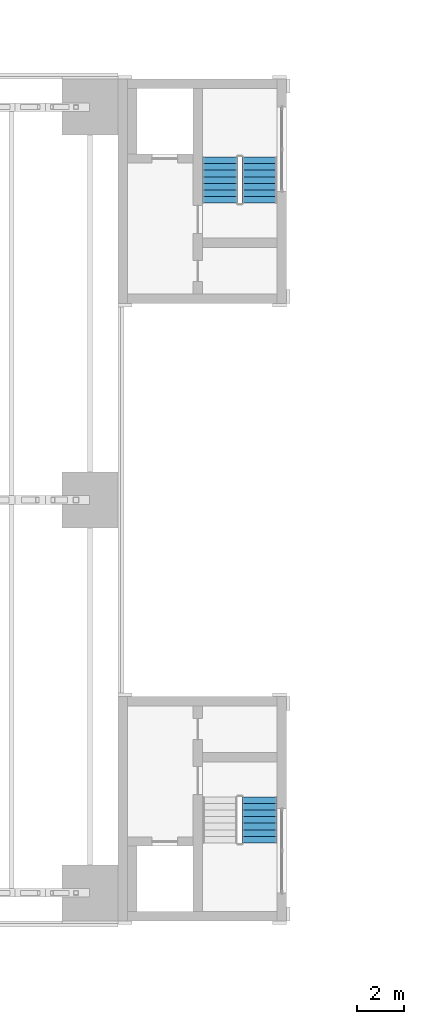
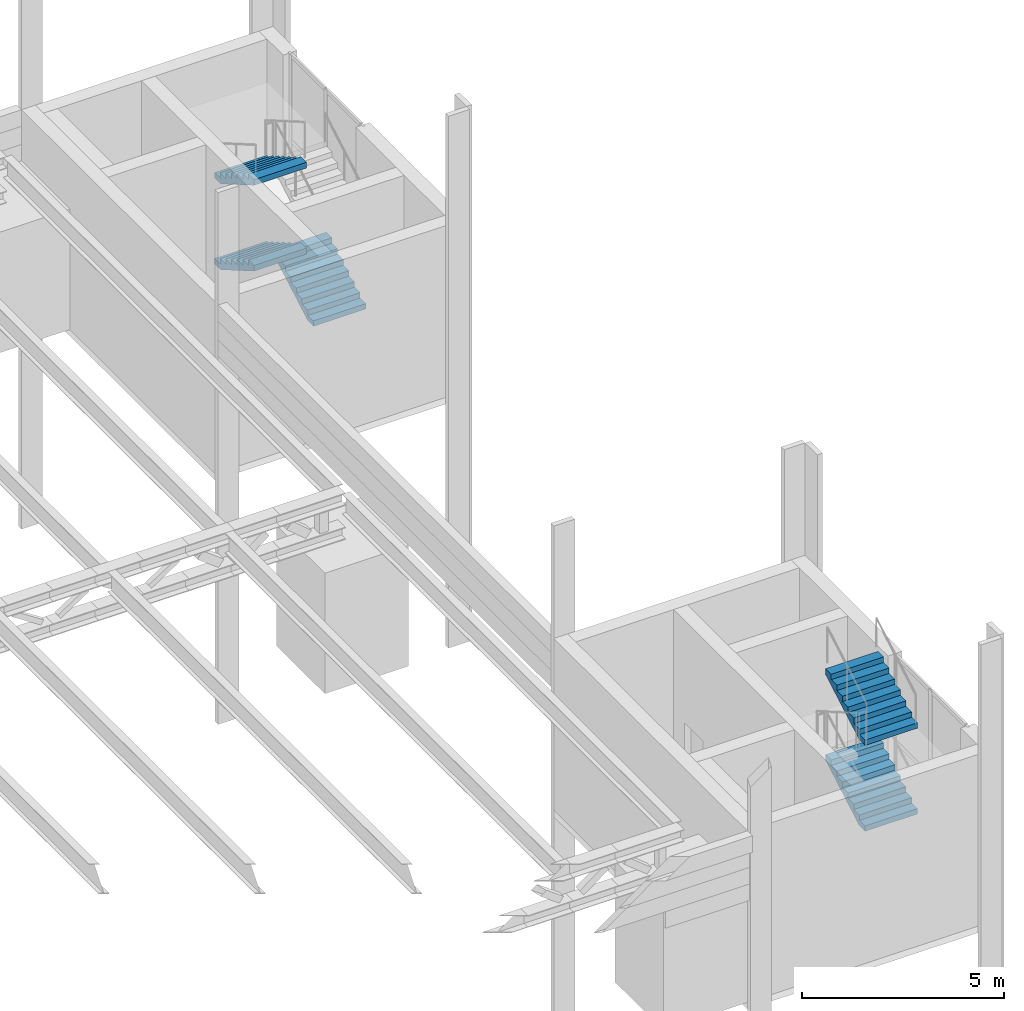
# One storey, part 77 of 93: 5 stair flights, 2 elements without a shape of their own.
"""IFC4 building model written with IfcOpenShell, lengths in metres."""

from ifc_helpers import new_model, si_unit, direction, frame, origin, place, context, subcontext, project, spatial, polygons, material, type_object, element, aggregate, save


model = new_model("IFC4")

# Units and contexts
model_context = context("Model", 3, precision=1e-05, world=origin(), true_north=direction((0.0, 1.0)))
body_context = subcontext(model_context, "Body", "Model", "MODEL_VIEW")
ifc_project = project(units=[si_unit("LENGTHUNIT", "METRE"), si_unit("AREAUNIT", "SQUARE_METRE"), si_unit("VOLUMEUNIT", "CUBIC_METRE"), si_unit("PLANEANGLEUNIT", "RADIAN"), si_unit("MASSUNIT", "GRAM", prefix="KILO")], contexts=[model_context])

# Site, building, storey
site_placement = place(None, origin())
site = spatial("IfcSite", under=ifc_project, at=site_placement, CompositionType="ELEMENT")
building_placement = place(site_placement, origin())
building = spatial("IfcBuilding", under=site, at=building_placement, Name="Verrick Yard Athletic Hall", CompositionType="ELEMENT")
storey_placement = place(building_placement, frame((0.0, 0.0, 8.800048828125)))
storey = spatial("IfcBuildingStorey", under=building, at=storey_placement, Name="L02", CompositionType="ELEMENT", Elevation=8.800048828125)

# Stair, stair flights
ifc_material = material(Name="Concrete 35 MPa", Category="concrete")
stair_type = type_object("IfcStairType", Name="Stair ST2 1500 wide 32 risers", PredefinedType="HALF_TURN_STAIR", material=ifc_material)
stair_1_placement = place(storey_placement, origin())
stair_1 = element("IfcStair", 1, at=stair_1_placement, inside=storey, type_object=stair_type, Name="Plinth south-east stair L02", PredefinedType="HALF_TURN_STAIR")
stair_flight_type = type_object("IfcStairFlightType", Name="Stair flight SF2 1500 wide 8 risers", PredefinedType="STRAIGHT", material=ifc_material)
stair_flight_1_placement = place(storey_placement, frame((164.85009765625, 21.340087890625, 1.300048828125), z_axis=(0.0, 0.0, 1.0), x_axis=(0.0, 1.0, 0.0)))
stair_flight_1 = element("IfcStairFlight", 2, at=stair_flight_1_placement, type_object=stair_flight_type, Name="ST2 flight 2", NumberOfRisers=8, NumberOfTreads=7, PredefinedType="STRAIGHT", RiserHeight=0.1625, TreadLength=0.28, context=body_context, shape_type="Tessellation", body=[
    polygons([(0.2986404620805121, -0.75, 0.0), (1.9600000000000002, -0.75, 0.9641818746854172), (1.9600000000000002, -0.75, 1.1375), (1.6800000000000002, -0.75, 1.1375), (1.6800000000000002, -0.75, 0.9750000000000001), (1.4000000000000001, -0.75, 0.9750000000000001), (1.4000000000000001, -0.75, 0.8125), (1.12, -0.75, 0.8125), (1.12, -0.75, 0.65), (0.8400000000000001, -0.75, 0.65), (0.8400000000000001, -0.75, 0.48750000000000004), (0.56, -0.75, 0.48750000000000004), (0.56, -0.75, 0.325), (0.28, -0.75, 0.325), (0.28, -0.75, 0.1625), (0.0, -0.75, 0.1625), (0.0, -0.75, 0.0), (0.2986404620805121, -0.14990234375, 0.0), (1.9600000000000002, -0.14990234375, 0.9641818746854172), (1.9600000000000002, -0.14990234375, 1.1375), (1.6800000000000002, -0.14990234375, 1.1375), (1.6800000000000002, -0.14990234375, 0.9750000000000001), (1.4000000000000001, -0.14990234375, 0.9750000000000001), (1.4000000000000001, -0.14990234375, 0.8125), (1.12, -0.14990234375, 0.8125), (1.12, -0.14990234375, 0.65), (0.8400000000000001, -0.14990234375, 0.65), (0.8400000000000001, -0.14990234375, 0.48750000000000004), (0.56, -0.14990234375, 0.48750000000000004), (0.56, -0.14990234375, 0.325), (0.28, -0.14990234375, 0.325), (0.28, -0.14990234375, 0.1625), (0.0, -0.14990234375, 0.1625), (0.0, -0.14990234375, 0.0), (0.2986404620805121, -0.050048828125, 0.0), (1.9600000000000002, -0.050048828125, 0.9641818746854172), (1.9600000000000002, -0.050048828125, 1.1375), (1.6800000000000002, -0.050048828125, 1.1375), (1.6800000000000002, -0.050048828125, 0.9750000000000001), (1.4000000000000001, -0.050048828125, 0.9750000000000001), (1.4000000000000001, -0.050048828125, 0.8125), (1.12, -0.050048828125, 0.8125), (1.12, -0.050048828125, 0.65), (0.8400000000000001, -0.050048828125, 0.65), (0.8400000000000001, -0.050048828125, 0.48750000000000004), (0.56, -0.050048828125, 0.48750000000000004), (0.56, -0.050048828125, 0.325), (0.28, -0.050048828125, 0.325), (0.28, -0.050048828125, 0.1625), (0.0, -0.050048828125, 0.1625), (0.0, -0.050048828125, 0.0), (0.2986404620805121, 0.050048828125, 0.0), (1.9600000000000002, 0.050048828125, 0.9641818746854172), (1.9600000000000002, 0.050048828125, 1.1375), (1.6800000000000002, 0.050048828125, 1.1375), (1.6800000000000002, 0.050048828125, 0.9750000000000001), (1.4000000000000001, 0.050048828125, 0.9750000000000001), (1.4000000000000001, 0.050048828125, 0.8125), (1.12, 0.050048828125, 0.8125), (1.12, 0.050048828125, 0.65), (0.8400000000000001, 0.050048828125, 0.65), (0.8400000000000001, 0.050048828125, 0.48750000000000004), (0.56, 0.050048828125, 0.48750000000000004), (0.56, 0.050048828125, 0.325), (0.28, 0.050048828125, 0.325), (0.28, 0.050048828125, 0.1625), (0.0, 0.050048828125, 0.1625), (0.0, 0.050048828125, 0.0), (0.2986404620805121, 0.14990234375, 0.0), (1.9600000000000002, 0.14990234375, 0.9641818746854172), (1.9600000000000002, 0.14990234375, 1.1375), (1.6800000000000002, 0.14990234375, 1.1375), (1.6800000000000002, 0.14990234375, 0.9750000000000001), (1.4000000000000001, 0.14990234375, 0.9750000000000001), (1.4000000000000001, 0.14990234375, 0.8125), (1.12, 0.14990234375, 0.8125), (1.12, 0.14990234375, 0.65), (0.8400000000000001, 0.14990234375, 0.65), (0.8400000000000001, 0.14990234375, 0.48750000000000004), (0.56, 0.14990234375, 0.48750000000000004), (0.56, 0.14990234375, 0.325), (0.28, 0.14990234375, 0.325), (0.28, 0.14990234375, 0.1625), (0.0, 0.14990234375, 0.1625), (0.0, 0.14990234375, 0.0), (0.2986404620805121, 0.75, 0.0), (1.9600000000000002, 0.75, 0.9641818746854172), (1.9600000000000002, 0.75, 1.1375), (1.6800000000000002, 0.75, 1.1375), (1.6800000000000002, 0.75, 0.9750000000000001), (1.4000000000000001, 0.75, 0.9750000000000001), (1.4000000000000001, 0.75, 0.8125), (1.12, 0.75, 0.8125), (1.12, 0.75, 0.65), (0.8400000000000001, 0.75, 0.65), (0.8400000000000001, 0.75, 0.48750000000000004), (0.56, 0.75, 0.48750000000000004), (0.56, 0.75, 0.325), (0.28, 0.75, 0.325), (0.28, 0.75, 0.1625), (0.0, 0.75, 0.1625), (0.0, 0.75, 0.0)], [[[1, 2, 3, 4, 5, 6, 7, 8, 9, 10, 11, 12, 13, 14, 15, 16, 17]], [[102, 101, 100, 99, 98, 97, 96, 95, 94, 93, 92, 91, 90, 89, 88, 87, 86]], [[1, 18, 19, 2]], [[2, 19, 20, 3]], [[3, 20, 21, 4]], [[4, 21, 22, 5]], [[5, 22, 23, 6]], [[6, 23, 24, 7]], [[7, 24, 25, 8]], [[8, 25, 26, 9]], [[9, 26, 27, 10]], [[10, 27, 28, 11]], [[11, 28, 29, 12]], [[12, 29, 30, 13]], [[13, 30, 31, 14]], [[14, 31, 32, 15]], [[15, 32, 33, 16]], [[16, 33, 34, 17]], [[17, 34, 18, 1]], [[18, 35, 36, 19]], [[19, 36, 37, 20]], [[20, 37, 38, 21]], [[21, 38, 39, 22]], [[22, 39, 40, 23]], [[23, 40, 41, 24]], [[24, 41, 42, 25]], [[25, 42, 43, 26]], [[26, 43, 44, 27]], [[27, 44, 45, 28]], [[28, 45, 46, 29]], [[29, 46, 47, 30]], [[30, 47, 48, 31]], [[31, 48, 49, 32]], [[32, 49, 50, 33]], [[33, 50, 51, 34]], [[34, 51, 35, 18]], [[35, 52, 53, 36]], [[36, 53, 54, 37]], [[37, 54, 55, 38]], [[38, 55, 56, 39]], [[39, 56, 57, 40]], [[40, 57, 58, 41]], [[41, 58, 59, 42]], [[42, 59, 60, 43]], [[43, 60, 61, 44]], [[44, 61, 62, 45]], [[45, 62, 63, 46]], [[46, 63, 64, 47]], [[47, 64, 65, 48]], [[48, 65, 66, 49]], [[49, 66, 67, 50]], [[50, 67, 68, 51]], [[51, 68, 52, 35]], [[52, 69, 70, 53]], [[53, 70, 71, 54]], [[54, 71, 72, 55]], [[55, 72, 73, 56]], [[56, 73, 74, 57]], [[57, 74, 75, 58]], [[58, 75, 76, 59]], [[59, 76, 77, 60]], [[60, 77, 78, 61]], [[61, 78, 79, 62]], [[62, 79, 80, 63]], [[63, 80, 81, 64]], [[64, 81, 82, 65]], [[65, 82, 83, 66]], [[66, 83, 84, 67]], [[67, 84, 85, 68]], [[68, 85, 69, 52]], [[69, 86, 87, 70]], [[70, 87, 88, 71]], [[71, 88, 89, 72]], [[72, 89, 90, 73]], [[73, 90, 91, 74]], [[74, 91, 92, 75]], [[75, 92, 93, 76]], [[76, 93, 94, 77]], [[77, 94, 95, 78]], [[78, 95, 96, 79]], [[79, 96, 97, 80]], [[80, 97, 98, 81]], [[81, 98, 99, 82]], [[82, 99, 100, 83]], [[83, 100, 101, 84]], [[84, 101, 102, 85]], [[85, 102, 86, 69]]], closed=True),
])
stair_flight_2_placement = place(storey_placement, frame((164.85009765625, 21.340087890625, 3.89990234375), z_axis=(0.0, 0.0, 1.0), x_axis=(0.0, 1.0, 0.0)))
stair_flight_2 = element("IfcStairFlight", 3, at=stair_flight_2_placement, type_object=stair_flight_type, Name="ST2 flight 4", NumberOfRisers=8, NumberOfTreads=7, PredefinedType="STRAIGHT", RiserHeight=0.1625, TreadLength=0.28, context=body_context, shape_type="Tessellation", body=[
    polygons([(0.2986404620805121, -0.75, 0.0), (1.9600000000000002, -0.75, 0.9641818746854172), (1.9600000000000002, -0.75, 1.1375), (1.6800000000000002, -0.75, 1.1375), (1.6800000000000002, -0.75, 0.9750000000000001), (1.4000000000000001, -0.75, 0.9750000000000001), (1.4000000000000001, -0.75, 0.8125), (1.12, -0.75, 0.8125), (1.12, -0.75, 0.65), (0.8400000000000001, -0.75, 0.65), (0.8400000000000001, -0.75, 0.48750000000000004), (0.56, -0.75, 0.48750000000000004), (0.56, -0.75, 0.325), (0.28, -0.75, 0.325), (0.28, -0.75, 0.1625), (0.0, -0.75, 0.1625), (0.0, -0.75, 0.0), (0.2986404620805121, -0.14990234375, 0.0), (1.9600000000000002, -0.14990234375, 0.9641818746854172), (1.9600000000000002, -0.14990234375, 1.1375), (1.6800000000000002, -0.14990234375, 1.1375), (1.6800000000000002, -0.14990234375, 0.9750000000000001), (1.4000000000000001, -0.14990234375, 0.9750000000000001), (1.4000000000000001, -0.14990234375, 0.8125), (1.12, -0.14990234375, 0.8125), (1.12, -0.14990234375, 0.65), (0.8400000000000001, -0.14990234375, 0.65), (0.8400000000000001, -0.14990234375, 0.48750000000000004), (0.56, -0.14990234375, 0.48750000000000004), (0.56, -0.14990234375, 0.325), (0.28, -0.14990234375, 0.325), (0.28, -0.14990234375, 0.1625), (0.0, -0.14990234375, 0.1625), (0.0, -0.14990234375, 0.0), (0.2986404620805121, -0.050048828125, 0.0), (1.9600000000000002, -0.050048828125, 0.9641818746854172), (1.9600000000000002, -0.050048828125, 1.1375), (1.6800000000000002, -0.050048828125, 1.1375), (1.6800000000000002, -0.050048828125, 0.9750000000000001), (1.4000000000000001, -0.050048828125, 0.9750000000000001), (1.4000000000000001, -0.050048828125, 0.8125), (1.12, -0.050048828125, 0.8125), (1.12, -0.050048828125, 0.65), (0.8400000000000001, -0.050048828125, 0.65), (0.8400000000000001, -0.050048828125, 0.48750000000000004), (0.56, -0.050048828125, 0.48750000000000004), (0.56, -0.050048828125, 0.325), (0.28, -0.050048828125, 0.325), (0.28, -0.050048828125, 0.1625), (0.0, -0.050048828125, 0.1625), (0.0, -0.050048828125, 0.0), (0.2986404620805121, 0.050048828125, 0.0), (1.9600000000000002, 0.050048828125, 0.9641818746854172), (1.9600000000000002, 0.050048828125, 1.1375), (1.6800000000000002, 0.050048828125, 1.1375), (1.6800000000000002, 0.050048828125, 0.9750000000000001), (1.4000000000000001, 0.050048828125, 0.9750000000000001), (1.4000000000000001, 0.050048828125, 0.8125), (1.12, 0.050048828125, 0.8125), (1.12, 0.050048828125, 0.65), (0.8400000000000001, 0.050048828125, 0.65), (0.8400000000000001, 0.050048828125, 0.48750000000000004), (0.56, 0.050048828125, 0.48750000000000004), (0.56, 0.050048828125, 0.325), (0.28, 0.050048828125, 0.325), (0.28, 0.050048828125, 0.1625), (0.0, 0.050048828125, 0.1625), (0.0, 0.050048828125, 0.0), (0.2986404620805121, 0.14990234375, 0.0), (1.9600000000000002, 0.14990234375, 0.9641818746854172), (1.9600000000000002, 0.14990234375, 1.1375), (1.6800000000000002, 0.14990234375, 1.1375), (1.6800000000000002, 0.14990234375, 0.9750000000000001), (1.4000000000000001, 0.14990234375, 0.9750000000000001), (1.4000000000000001, 0.14990234375, 0.8125), (1.12, 0.14990234375, 0.8125), (1.12, 0.14990234375, 0.65), (0.8400000000000001, 0.14990234375, 0.65), (0.8400000000000001, 0.14990234375, 0.48750000000000004), (0.56, 0.14990234375, 0.48750000000000004), (0.56, 0.14990234375, 0.325), (0.28, 0.14990234375, 0.325), (0.28, 0.14990234375, 0.1625), (0.0, 0.14990234375, 0.1625), (0.0, 0.14990234375, 0.0), (0.2986404620805121, 0.75, 0.0), (1.9600000000000002, 0.75, 0.9641818746854172), (1.9600000000000002, 0.75, 1.1375), (1.6800000000000002, 0.75, 1.1375), (1.6800000000000002, 0.75, 0.9750000000000001), (1.4000000000000001, 0.75, 0.9750000000000001), (1.4000000000000001, 0.75, 0.8125), (1.12, 0.75, 0.8125), (1.12, 0.75, 0.65), (0.8400000000000001, 0.75, 0.65), (0.8400000000000001, 0.75, 0.48750000000000004), (0.56, 0.75, 0.48750000000000004), (0.56, 0.75, 0.325), (0.28, 0.75, 0.325), (0.28, 0.75, 0.1625), (0.0, 0.75, 0.1625), (0.0, 0.75, 0.0)], [[[1, 2, 3, 4, 5, 6, 7, 8, 9, 10, 11, 12, 13, 14, 15, 16, 17]], [[102, 101, 100, 99, 98, 97, 96, 95, 94, 93, 92, 91, 90, 89, 88, 87, 86]], [[1, 18, 19, 2]], [[2, 19, 20, 3]], [[3, 20, 21, 4]], [[4, 21, 22, 5]], [[5, 22, 23, 6]], [[6, 23, 24, 7]], [[7, 24, 25, 8]], [[8, 25, 26, 9]], [[9, 26, 27, 10]], [[10, 27, 28, 11]], [[11, 28, 29, 12]], [[12, 29, 30, 13]], [[13, 30, 31, 14]], [[14, 31, 32, 15]], [[15, 32, 33, 16]], [[16, 33, 34, 17]], [[17, 34, 18, 1]], [[18, 35, 36, 19]], [[19, 36, 37, 20]], [[20, 37, 38, 21]], [[21, 38, 39, 22]], [[22, 39, 40, 23]], [[23, 40, 41, 24]], [[24, 41, 42, 25]], [[25, 42, 43, 26]], [[26, 43, 44, 27]], [[27, 44, 45, 28]], [[28, 45, 46, 29]], [[29, 46, 47, 30]], [[30, 47, 48, 31]], [[31, 48, 49, 32]], [[32, 49, 50, 33]], [[33, 50, 51, 34]], [[34, 51, 35, 18]], [[35, 52, 53, 36]], [[36, 53, 54, 37]], [[37, 54, 55, 38]], [[38, 55, 56, 39]], [[39, 56, 57, 40]], [[40, 57, 58, 41]], [[41, 58, 59, 42]], [[42, 59, 60, 43]], [[43, 60, 61, 44]], [[44, 61, 62, 45]], [[45, 62, 63, 46]], [[46, 63, 64, 47]], [[47, 64, 65, 48]], [[48, 65, 66, 49]], [[49, 66, 67, 50]], [[50, 67, 68, 51]], [[51, 68, 52, 35]], [[52, 69, 70, 53]], [[53, 70, 71, 54]], [[54, 71, 72, 55]], [[55, 72, 73, 56]], [[56, 73, 74, 57]], [[57, 74, 75, 58]], [[58, 75, 76, 59]], [[59, 76, 77, 60]], [[60, 77, 78, 61]], [[61, 78, 79, 62]], [[62, 79, 80, 63]], [[63, 80, 81, 64]], [[64, 81, 82, 65]], [[65, 82, 83, 66]], [[66, 83, 84, 67]], [[67, 84, 85, 68]], [[68, 85, 69, 52]], [[69, 86, 87, 70]], [[70, 87, 88, 71]], [[71, 88, 89, 72]], [[72, 89, 90, 73]], [[73, 90, 91, 74]], [[74, 91, 92, 75]], [[75, 92, 93, 76]], [[76, 93, 94, 77]], [[77, 94, 95, 78]], [[78, 95, 96, 79]], [[79, 96, 97, 80]], [[80, 97, 98, 81]], [[81, 98, 99, 82]], [[82, 99, 100, 83]], [[83, 100, 101, 84]], [[84, 101, 102, 85]], [[85, 102, 86, 69]]], closed=True),
])
aggregate(stair_1, [stair_flight_1, stair_flight_2])

stair_2_placement = place(storey_placement, origin())
stair_2 = element("IfcStair", 4, at=stair_2_placement, inside=storey, type_object=stair_type, Name="Plinth north-east stair L02", PredefinedType="HALF_TURN_STAIR")
stair_flight_3_placement = place(storey_placement, frame((164.85009765625, 48.699951171875, 0.0), z_axis=(0.0, 0.0, 1.0), x_axis=(0.0, 1.0, 0.0)))
stair_flight_3 = element("IfcStairFlight", 5, at=stair_flight_3_placement, type_object=stair_flight_type, Name="ST2 flight 1", NumberOfRisers=8, NumberOfTreads=7, PredefinedType="STRAIGHT", RiserHeight=0.1625, TreadLength=0.28, context=body_context, shape_type="Tessellation", body=[
    polygons([(0.2986404620805121, -0.75, 0.0), (1.9600000000000002, -0.75, 0.9641818746854172), (1.9600000000000002, -0.75, 1.1375), (1.6800000000000002, -0.75, 1.1375), (1.6800000000000002, -0.75, 0.9750000000000001), (1.4000000000000001, -0.75, 0.9750000000000001), (1.4000000000000001, -0.75, 0.8125), (1.12, -0.75, 0.8125), (1.12, -0.75, 0.65), (0.8400000000000001, -0.75, 0.65), (0.8400000000000001, -0.75, 0.48750000000000004), (0.56, -0.75, 0.48750000000000004), (0.56, -0.75, 0.325), (0.28, -0.75, 0.325), (0.28, -0.75, 0.1625), (0.0, -0.75, 0.1625), (0.0, -0.75, 0.0), (0.2986404620805121, -0.14990234375, 0.0), (1.9600000000000002, -0.14990234375, 0.9641818746854172), (1.9600000000000002, -0.14990234375, 1.1375), (1.6800000000000002, -0.14990234375, 1.1375), (1.6800000000000002, -0.14990234375, 0.9750000000000001), (1.4000000000000001, -0.14990234375, 0.9750000000000001), (1.4000000000000001, -0.14990234375, 0.8125), (1.12, -0.14990234375, 0.8125), (1.12, -0.14990234375, 0.65), (0.8400000000000001, -0.14990234375, 0.65), (0.8400000000000001, -0.14990234375, 0.48750000000000004), (0.56, -0.14990234375, 0.48750000000000004), (0.56, -0.14990234375, 0.325), (0.28, -0.14990234375, 0.325), (0.28, -0.14990234375, 0.1625), (0.0, -0.14990234375, 0.1625), (0.0, -0.14990234375, 0.0), (0.2986404620805121, -0.050048828125, 0.0), (1.9600000000000002, -0.050048828125, 0.9641818746854172), (1.9600000000000002, -0.050048828125, 1.1375), (1.6800000000000002, -0.050048828125, 1.1375), (1.6800000000000002, -0.050048828125, 0.9750000000000001), (1.4000000000000001, -0.050048828125, 0.9750000000000001), (1.4000000000000001, -0.050048828125, 0.8125), (1.12, -0.050048828125, 0.8125), (1.12, -0.050048828125, 0.65), (0.8400000000000001, -0.050048828125, 0.65), (0.8400000000000001, -0.050048828125, 0.48750000000000004), (0.56, -0.050048828125, 0.48750000000000004), (0.56, -0.050048828125, 0.325), (0.28, -0.050048828125, 0.325), (0.28, -0.050048828125, 0.1625), (0.0, -0.050048828125, 0.1625), (0.0, -0.050048828125, 0.0), (0.2986404620805121, 0.050048828125, 0.0), (1.9600000000000002, 0.050048828125, 0.9641818746854172), (1.9600000000000002, 0.050048828125, 1.1375), (1.6800000000000002, 0.050048828125, 1.1375), (1.6800000000000002, 0.050048828125, 0.9750000000000001), (1.4000000000000001, 0.050048828125, 0.9750000000000001), (1.4000000000000001, 0.050048828125, 0.8125), (1.12, 0.050048828125, 0.8125), (1.12, 0.050048828125, 0.65), (0.8400000000000001, 0.050048828125, 0.65), (0.8400000000000001, 0.050048828125, 0.48750000000000004), (0.56, 0.050048828125, 0.48750000000000004), (0.56, 0.050048828125, 0.325), (0.28, 0.050048828125, 0.325), (0.28, 0.050048828125, 0.1625), (0.0, 0.050048828125, 0.1625), (0.0, 0.050048828125, 0.0), (0.2986404620805121, 0.14990234375, 0.0), (1.9600000000000002, 0.14990234375, 0.9641818746854172), (1.9600000000000002, 0.14990234375, 1.1375), (1.6800000000000002, 0.14990234375, 1.1375), (1.6800000000000002, 0.14990234375, 0.9750000000000001), (1.4000000000000001, 0.14990234375, 0.9750000000000001), (1.4000000000000001, 0.14990234375, 0.8125), (1.12, 0.14990234375, 0.8125), (1.12, 0.14990234375, 0.65), (0.8400000000000001, 0.14990234375, 0.65), (0.8400000000000001, 0.14990234375, 0.48750000000000004), (0.56, 0.14990234375, 0.48750000000000004), (0.56, 0.14990234375, 0.325), (0.28, 0.14990234375, 0.325), (0.28, 0.14990234375, 0.1625), (0.0, 0.14990234375, 0.1625), (0.0, 0.14990234375, 0.0), (0.2986404620805121, 0.75, 0.0), (1.9600000000000002, 0.75, 0.9641818746854172), (1.9600000000000002, 0.75, 1.1375), (1.6800000000000002, 0.75, 1.1375), (1.6800000000000002, 0.75, 0.9750000000000001), (1.4000000000000001, 0.75, 0.9750000000000001), (1.4000000000000001, 0.75, 0.8125), (1.12, 0.75, 0.8125), (1.12, 0.75, 0.65), (0.8400000000000001, 0.75, 0.65), (0.8400000000000001, 0.75, 0.48750000000000004), (0.56, 0.75, 0.48750000000000004), (0.56, 0.75, 0.325), (0.28, 0.75, 0.325), (0.28, 0.75, 0.1625), (0.0, 0.75, 0.1625), (0.0, 0.75, 0.0)], [[[1, 2, 3, 4, 5, 6, 7, 8, 9, 10, 11, 12, 13, 14, 15, 16, 17]], [[102, 101, 100, 99, 98, 97, 96, 95, 94, 93, 92, 91, 90, 89, 88, 87, 86]], [[1, 18, 19, 2]], [[2, 19, 20, 3]], [[3, 20, 21, 4]], [[4, 21, 22, 5]], [[5, 22, 23, 6]], [[6, 23, 24, 7]], [[7, 24, 25, 8]], [[8, 25, 26, 9]], [[9, 26, 27, 10]], [[10, 27, 28, 11]], [[11, 28, 29, 12]], [[12, 29, 30, 13]], [[13, 30, 31, 14]], [[14, 31, 32, 15]], [[15, 32, 33, 16]], [[16, 33, 34, 17]], [[17, 34, 18, 1]], [[18, 35, 36, 19]], [[19, 36, 37, 20]], [[20, 37, 38, 21]], [[21, 38, 39, 22]], [[22, 39, 40, 23]], [[23, 40, 41, 24]], [[24, 41, 42, 25]], [[25, 42, 43, 26]], [[26, 43, 44, 27]], [[27, 44, 45, 28]], [[28, 45, 46, 29]], [[29, 46, 47, 30]], [[30, 47, 48, 31]], [[31, 48, 49, 32]], [[32, 49, 50, 33]], [[33, 50, 51, 34]], [[34, 51, 35, 18]], [[35, 52, 53, 36]], [[36, 53, 54, 37]], [[37, 54, 55, 38]], [[38, 55, 56, 39]], [[39, 56, 57, 40]], [[40, 57, 58, 41]], [[41, 58, 59, 42]], [[42, 59, 60, 43]], [[43, 60, 61, 44]], [[44, 61, 62, 45]], [[45, 62, 63, 46]], [[46, 63, 64, 47]], [[47, 64, 65, 48]], [[48, 65, 66, 49]], [[49, 66, 67, 50]], [[50, 67, 68, 51]], [[51, 68, 52, 35]], [[52, 69, 70, 53]], [[53, 70, 71, 54]], [[54, 71, 72, 55]], [[55, 72, 73, 56]], [[56, 73, 74, 57]], [[57, 74, 75, 58]], [[58, 75, 76, 59]], [[59, 76, 77, 60]], [[60, 77, 78, 61]], [[61, 78, 79, 62]], [[62, 79, 80, 63]], [[63, 80, 81, 64]], [[64, 81, 82, 65]], [[65, 82, 83, 66]], [[66, 83, 84, 67]], [[67, 84, 85, 68]], [[68, 85, 69, 52]], [[69, 86, 87, 70]], [[70, 87, 88, 71]], [[71, 88, 89, 72]], [[72, 89, 90, 73]], [[73, 90, 91, 74]], [[74, 91, 92, 75]], [[75, 92, 93, 76]], [[76, 93, 94, 77]], [[77, 94, 95, 78]], [[78, 95, 96, 79]], [[79, 96, 97, 80]], [[80, 97, 98, 81]], [[81, 98, 99, 82]], [[82, 99, 100, 83]], [[83, 100, 101, 84]], [[84, 101, 102, 85]], [[85, 102, 86, 69]]], closed=True),
])
stair_flight_4_placement = place(storey_placement, frame((163.14990234375, 50.659912109375, 1.300048828125), z_axis=(0.0, 0.0, 1.0), x_axis=(0.0, -1.0, 0.0)))
stair_flight_4 = element("IfcStairFlight", 6, at=stair_flight_4_placement, type_object=stair_flight_type, Name="ST2 flight 2", NumberOfRisers=8, NumberOfTreads=7, PredefinedType="STRAIGHT", RiserHeight=0.1625, TreadLength=0.28, context=body_context, shape_type="Tessellation", body=[
    polygons([(0.2986404620805121, -0.75, 0.0), (1.9600000000000002, -0.75, 0.9641818746854172), (1.9600000000000002, -0.75, 1.1375), (1.6800000000000002, -0.75, 1.1375), (1.6800000000000002, -0.75, 0.9750000000000001), (1.4000000000000001, -0.75, 0.9750000000000001), (1.4000000000000001, -0.75, 0.8125), (1.12, -0.75, 0.8125), (1.12, -0.75, 0.65), (0.8400000000000001, -0.75, 0.65), (0.8400000000000001, -0.75, 0.48750000000000004), (0.56, -0.75, 0.48750000000000004), (0.56, -0.75, 0.325), (0.28, -0.75, 0.325), (0.28, -0.75, 0.1625), (0.0, -0.75, 0.1625), (0.0, -0.75, 0.0), (0.2986404620805121, -0.14990234375, 0.0), (1.9600000000000002, -0.14990234375, 0.9641818746854172), (1.9600000000000002, -0.14990234375, 1.1375), (1.6800000000000002, -0.14990234375, 1.1375), (1.6800000000000002, -0.14990234375, 0.9750000000000001), (1.4000000000000001, -0.14990234375, 0.9750000000000001), (1.4000000000000001, -0.14990234375, 0.8125), (1.12, -0.14990234375, 0.8125), (1.12, -0.14990234375, 0.65), (0.8400000000000001, -0.14990234375, 0.65), (0.8400000000000001, -0.14990234375, 0.48750000000000004), (0.56, -0.14990234375, 0.48750000000000004), (0.56, -0.14990234375, 0.325), (0.28, -0.14990234375, 0.325), (0.28, -0.14990234375, 0.1625), (0.0, -0.14990234375, 0.1625), (0.0, -0.14990234375, 0.0), (0.2986404620805121, -0.050048828125, 0.0), (1.9600000000000002, -0.050048828125, 0.9641818746854172), (1.9600000000000002, -0.050048828125, 1.1375), (1.6800000000000002, -0.050048828125, 1.1375), (1.6800000000000002, -0.050048828125, 0.9750000000000001), (1.4000000000000001, -0.050048828125, 0.9750000000000001), (1.4000000000000001, -0.050048828125, 0.8125), (1.12, -0.050048828125, 0.8125), (1.12, -0.050048828125, 0.65), (0.8400000000000001, -0.050048828125, 0.65), (0.8400000000000001, -0.050048828125, 0.48750000000000004), (0.56, -0.050048828125, 0.48750000000000004), (0.56, -0.050048828125, 0.325), (0.28, -0.050048828125, 0.325), (0.28, -0.050048828125, 0.1625), (0.0, -0.050048828125, 0.1625), (0.0, -0.050048828125, 0.0), (0.2986404620805121, 0.050048828125, 0.0), (1.9600000000000002, 0.050048828125, 0.9641818746854172), (1.9600000000000002, 0.050048828125, 1.1375), (1.6800000000000002, 0.050048828125, 1.1375), (1.6800000000000002, 0.050048828125, 0.9750000000000001), (1.4000000000000001, 0.050048828125, 0.9750000000000001), (1.4000000000000001, 0.050048828125, 0.8125), (1.12, 0.050048828125, 0.8125), (1.12, 0.050048828125, 0.65), (0.8400000000000001, 0.050048828125, 0.65), (0.8400000000000001, 0.050048828125, 0.48750000000000004), (0.56, 0.050048828125, 0.48750000000000004), (0.56, 0.050048828125, 0.325), (0.28, 0.050048828125, 0.325), (0.28, 0.050048828125, 0.1625), (0.0, 0.050048828125, 0.1625), (0.0, 0.050048828125, 0.0), (0.2986404620805121, 0.14990234375, 0.0), (1.9600000000000002, 0.14990234375, 0.9641818746854172), (1.9600000000000002, 0.14990234375, 1.1375), (1.6800000000000002, 0.14990234375, 1.1375), (1.6800000000000002, 0.14990234375, 0.9750000000000001), (1.4000000000000001, 0.14990234375, 0.9750000000000001), (1.4000000000000001, 0.14990234375, 0.8125), (1.12, 0.14990234375, 0.8125), (1.12, 0.14990234375, 0.65), (0.8400000000000001, 0.14990234375, 0.65), (0.8400000000000001, 0.14990234375, 0.48750000000000004), (0.56, 0.14990234375, 0.48750000000000004), (0.56, 0.14990234375, 0.325), (0.28, 0.14990234375, 0.325), (0.28, 0.14990234375, 0.1625), (0.0, 0.14990234375, 0.1625), (0.0, 0.14990234375, 0.0), (0.2986404620805121, 0.75, 0.0), (1.9600000000000002, 0.75, 0.9641818746854172), (1.9600000000000002, 0.75, 1.1375), (1.6800000000000002, 0.75, 1.1375), (1.6800000000000002, 0.75, 0.9750000000000001), (1.4000000000000001, 0.75, 0.9750000000000001), (1.4000000000000001, 0.75, 0.8125), (1.12, 0.75, 0.8125), (1.12, 0.75, 0.65), (0.8400000000000001, 0.75, 0.65), (0.8400000000000001, 0.75, 0.48750000000000004), (0.56, 0.75, 0.48750000000000004), (0.56, 0.75, 0.325), (0.28, 0.75, 0.325), (0.28, 0.75, 0.1625), (0.0, 0.75, 0.1625), (0.0, 0.75, 0.0)], [[[1, 2, 3, 4, 5, 6, 7, 8, 9, 10, 11, 12, 13, 14, 15, 16, 17]], [[102, 101, 100, 99, 98, 97, 96, 95, 94, 93, 92, 91, 90, 89, 88, 87, 86]], [[1, 18, 19, 2]], [[2, 19, 20, 3]], [[3, 20, 21, 4]], [[4, 21, 22, 5]], [[5, 22, 23, 6]], [[6, 23, 24, 7]], [[7, 24, 25, 8]], [[8, 25, 26, 9]], [[9, 26, 27, 10]], [[10, 27, 28, 11]], [[11, 28, 29, 12]], [[12, 29, 30, 13]], [[13, 30, 31, 14]], [[14, 31, 32, 15]], [[15, 32, 33, 16]], [[16, 33, 34, 17]], [[17, 34, 18, 1]], [[18, 35, 36, 19]], [[19, 36, 37, 20]], [[20, 37, 38, 21]], [[21, 38, 39, 22]], [[22, 39, 40, 23]], [[23, 40, 41, 24]], [[24, 41, 42, 25]], [[25, 42, 43, 26]], [[26, 43, 44, 27]], [[27, 44, 45, 28]], [[28, 45, 46, 29]], [[29, 46, 47, 30]], [[30, 47, 48, 31]], [[31, 48, 49, 32]], [[32, 49, 50, 33]], [[33, 50, 51, 34]], [[34, 51, 35, 18]], [[35, 52, 53, 36]], [[36, 53, 54, 37]], [[37, 54, 55, 38]], [[38, 55, 56, 39]], [[39, 56, 57, 40]], [[40, 57, 58, 41]], [[41, 58, 59, 42]], [[42, 59, 60, 43]], [[43, 60, 61, 44]], [[44, 61, 62, 45]], [[45, 62, 63, 46]], [[46, 63, 64, 47]], [[47, 64, 65, 48]], [[48, 65, 66, 49]], [[49, 66, 67, 50]], [[50, 67, 68, 51]], [[51, 68, 52, 35]], [[52, 69, 70, 53]], [[53, 70, 71, 54]], [[54, 71, 72, 55]], [[55, 72, 73, 56]], [[56, 73, 74, 57]], [[57, 74, 75, 58]], [[58, 75, 76, 59]], [[59, 76, 77, 60]], [[60, 77, 78, 61]], [[61, 78, 79, 62]], [[62, 79, 80, 63]], [[63, 80, 81, 64]], [[64, 81, 82, 65]], [[65, 82, 83, 66]], [[66, 83, 84, 67]], [[67, 84, 85, 68]], [[68, 85, 69, 52]], [[69, 86, 87, 70]], [[70, 87, 88, 71]], [[71, 88, 89, 72]], [[72, 89, 90, 73]], [[73, 90, 91, 74]], [[74, 91, 92, 75]], [[75, 92, 93, 76]], [[76, 93, 94, 77]], [[77, 94, 95, 78]], [[78, 95, 96, 79]], [[79, 96, 97, 80]], [[80, 97, 98, 81]], [[81, 98, 99, 82]], [[82, 99, 100, 83]], [[83, 100, 101, 84]], [[84, 101, 102, 85]], [[85, 102, 86, 69]]], closed=True),
])
stair_flight_5_placement = place(storey_placement, frame((163.14990234375, 50.659912109375, 3.89990234375), z_axis=(0.0, 0.0, 1.0), x_axis=(0.0, -1.0, 0.0)))
stair_flight_5 = element("IfcStairFlight", 7, at=stair_flight_5_placement, type_object=stair_flight_type, Name="ST2 flight 4", NumberOfRisers=8, NumberOfTreads=7, PredefinedType="STRAIGHT", RiserHeight=0.1625, TreadLength=0.28, context=body_context, shape_type="Tessellation", body=[
    polygons([(0.2986404620805121, -0.75, 0.0), (1.9600000000000002, -0.75, 0.9641818746854172), (1.9600000000000002, -0.75, 1.1375), (1.6800000000000002, -0.75, 1.1375), (1.6800000000000002, -0.75, 0.9750000000000001), (1.4000000000000001, -0.75, 0.9750000000000001), (1.4000000000000001, -0.75, 0.8125), (1.12, -0.75, 0.8125), (1.12, -0.75, 0.65), (0.8400000000000001, -0.75, 0.65), (0.8400000000000001, -0.75, 0.48750000000000004), (0.56, -0.75, 0.48750000000000004), (0.56, -0.75, 0.325), (0.28, -0.75, 0.325), (0.28, -0.75, 0.1625), (0.0, -0.75, 0.1625), (0.0, -0.75, 0.0), (0.2986404620805121, -0.14990234375, 0.0), (1.9600000000000002, -0.14990234375, 0.9641818746854172), (1.9600000000000002, -0.14990234375, 1.1375), (1.6800000000000002, -0.14990234375, 1.1375), (1.6800000000000002, -0.14990234375, 0.9750000000000001), (1.4000000000000001, -0.14990234375, 0.9750000000000001), (1.4000000000000001, -0.14990234375, 0.8125), (1.12, -0.14990234375, 0.8125), (1.12, -0.14990234375, 0.65), (0.8400000000000001, -0.14990234375, 0.65), (0.8400000000000001, -0.14990234375, 0.48750000000000004), (0.56, -0.14990234375, 0.48750000000000004), (0.56, -0.14990234375, 0.325), (0.28, -0.14990234375, 0.325), (0.28, -0.14990234375, 0.1625), (0.0, -0.14990234375, 0.1625), (0.0, -0.14990234375, 0.0), (0.2986404620805121, -0.050048828125, 0.0), (1.9600000000000002, -0.050048828125, 0.9641818746854172), (1.9600000000000002, -0.050048828125, 1.1375), (1.6800000000000002, -0.050048828125, 1.1375), (1.6800000000000002, -0.050048828125, 0.9750000000000001), (1.4000000000000001, -0.050048828125, 0.9750000000000001), (1.4000000000000001, -0.050048828125, 0.8125), (1.12, -0.050048828125, 0.8125), (1.12, -0.050048828125, 0.65), (0.8400000000000001, -0.050048828125, 0.65), (0.8400000000000001, -0.050048828125, 0.48750000000000004), (0.56, -0.050048828125, 0.48750000000000004), (0.56, -0.050048828125, 0.325), (0.28, -0.050048828125, 0.325), (0.28, -0.050048828125, 0.1625), (0.0, -0.050048828125, 0.1625), (0.0, -0.050048828125, 0.0), (0.2986404620805121, 0.050048828125, 0.0), (1.9600000000000002, 0.050048828125, 0.9641818746854172), (1.9600000000000002, 0.050048828125, 1.1375), (1.6800000000000002, 0.050048828125, 1.1375), (1.6800000000000002, 0.050048828125, 0.9750000000000001), (1.4000000000000001, 0.050048828125, 0.9750000000000001), (1.4000000000000001, 0.050048828125, 0.8125), (1.12, 0.050048828125, 0.8125), (1.12, 0.050048828125, 0.65), (0.8400000000000001, 0.050048828125, 0.65), (0.8400000000000001, 0.050048828125, 0.48750000000000004), (0.56, 0.050048828125, 0.48750000000000004), (0.56, 0.050048828125, 0.325), (0.28, 0.050048828125, 0.325), (0.28, 0.050048828125, 0.1625), (0.0, 0.050048828125, 0.1625), (0.0, 0.050048828125, 0.0), (0.2986404620805121, 0.14990234375, 0.0), (1.9600000000000002, 0.14990234375, 0.9641818746854172), (1.9600000000000002, 0.14990234375, 1.1375), (1.6800000000000002, 0.14990234375, 1.1375), (1.6800000000000002, 0.14990234375, 0.9750000000000001), (1.4000000000000001, 0.14990234375, 0.9750000000000001), (1.4000000000000001, 0.14990234375, 0.8125), (1.12, 0.14990234375, 0.8125), (1.12, 0.14990234375, 0.65), (0.8400000000000001, 0.14990234375, 0.65), (0.8400000000000001, 0.14990234375, 0.48750000000000004), (0.56, 0.14990234375, 0.48750000000000004), (0.56, 0.14990234375, 0.325), (0.28, 0.14990234375, 0.325), (0.28, 0.14990234375, 0.1625), (0.0, 0.14990234375, 0.1625), (0.0, 0.14990234375, 0.0), (0.2986404620805121, 0.75, 0.0), (1.9600000000000002, 0.75, 0.9641818746854172), (1.9600000000000002, 0.75, 1.1375), (1.6800000000000002, 0.75, 1.1375), (1.6800000000000002, 0.75, 0.9750000000000001), (1.4000000000000001, 0.75, 0.9750000000000001), (1.4000000000000001, 0.75, 0.8125), (1.12, 0.75, 0.8125), (1.12, 0.75, 0.65), (0.8400000000000001, 0.75, 0.65), (0.8400000000000001, 0.75, 0.48750000000000004), (0.56, 0.75, 0.48750000000000004), (0.56, 0.75, 0.325), (0.28, 0.75, 0.325), (0.28, 0.75, 0.1625), (0.0, 0.75, 0.1625), (0.0, 0.75, 0.0)], [[[1, 2, 3, 4, 5, 6, 7, 8, 9, 10, 11, 12, 13, 14, 15, 16, 17]], [[102, 101, 100, 99, 98, 97, 96, 95, 94, 93, 92, 91, 90, 89, 88, 87, 86]], [[1, 18, 19, 2]], [[2, 19, 20, 3]], [[3, 20, 21, 4]], [[4, 21, 22, 5]], [[5, 22, 23, 6]], [[6, 23, 24, 7]], [[7, 24, 25, 8]], [[8, 25, 26, 9]], [[9, 26, 27, 10]], [[10, 27, 28, 11]], [[11, 28, 29, 12]], [[12, 29, 30, 13]], [[13, 30, 31, 14]], [[14, 31, 32, 15]], [[15, 32, 33, 16]], [[16, 33, 34, 17]], [[17, 34, 18, 1]], [[18, 35, 36, 19]], [[19, 36, 37, 20]], [[20, 37, 38, 21]], [[21, 38, 39, 22]], [[22, 39, 40, 23]], [[23, 40, 41, 24]], [[24, 41, 42, 25]], [[25, 42, 43, 26]], [[26, 43, 44, 27]], [[27, 44, 45, 28]], [[28, 45, 46, 29]], [[29, 46, 47, 30]], [[30, 47, 48, 31]], [[31, 48, 49, 32]], [[32, 49, 50, 33]], [[33, 50, 51, 34]], [[34, 51, 35, 18]], [[35, 52, 53, 36]], [[36, 53, 54, 37]], [[37, 54, 55, 38]], [[38, 55, 56, 39]], [[39, 56, 57, 40]], [[40, 57, 58, 41]], [[41, 58, 59, 42]], [[42, 59, 60, 43]], [[43, 60, 61, 44]], [[44, 61, 62, 45]], [[45, 62, 63, 46]], [[46, 63, 64, 47]], [[47, 64, 65, 48]], [[48, 65, 66, 49]], [[49, 66, 67, 50]], [[50, 67, 68, 51]], [[51, 68, 52, 35]], [[52, 69, 70, 53]], [[53, 70, 71, 54]], [[54, 71, 72, 55]], [[55, 72, 73, 56]], [[56, 73, 74, 57]], [[57, 74, 75, 58]], [[58, 75, 76, 59]], [[59, 76, 77, 60]], [[60, 77, 78, 61]], [[61, 78, 79, 62]], [[62, 79, 80, 63]], [[63, 80, 81, 64]], [[64, 81, 82, 65]], [[65, 82, 83, 66]], [[66, 83, 84, 67]], [[67, 84, 85, 68]], [[68, 85, 69, 52]], [[69, 86, 87, 70]], [[70, 87, 88, 71]], [[71, 88, 89, 72]], [[72, 89, 90, 73]], [[73, 90, 91, 74]], [[74, 91, 92, 75]], [[75, 92, 93, 76]], [[76, 93, 94, 77]], [[77, 94, 95, 78]], [[78, 95, 96, 79]], [[79, 96, 97, 80]], [[80, 97, 98, 81]], [[81, 98, 99, 82]], [[82, 99, 100, 83]], [[83, 100, 101, 84]], [[84, 101, 102, 85]], [[85, 102, 86, 69]]], closed=True),
])
aggregate(stair_2, [stair_flight_3, stair_flight_4, stair_flight_5])

save(model, "model.ifc")
